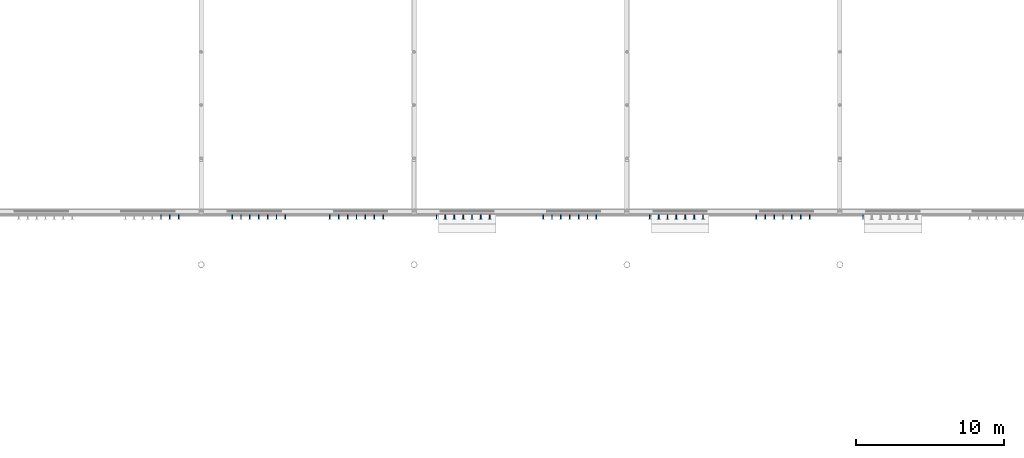
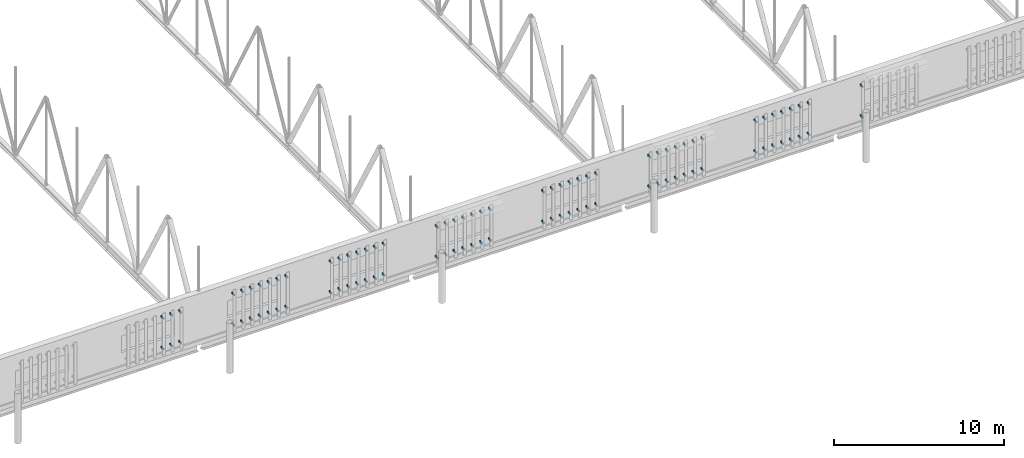
# One storey, part 111 of 142: 92 discrete accessories.
"""IFC4 building model written with IfcOpenShell, lengths in metres."""

import ifcopenshell
import ifcopenshell.guid

model = None  # the IFC model being written
_history = None  # IfcOwnerHistory: only IFC2X3 demands one
_inside = {}  # id of a spatial element -> (the spatial element, [elements in it])
_under = {}  # id of a project, library or spatial element -> (it, [spatial elements below it])
_declared = {}  # id of a project -> (the project, [libraries it declares])
_typed = {}  # id of a type object -> (the type object, [elements of that type])
_made_of = {}  # id of a material, layer set ... -> (it, [elements and type objects made of it])


def new_model(schema):
    """Start an empty IFC model of exactly this schema.

    Asked for "IFC4X3", IfcOpenShell would pick the latest addendum, in which some entities
    have other attributes; the version numbers below select the first issue.
    IFC2X3 requires an IfcOwnerHistory on every rooted entity: one is made here for all.
    """
    global model, _history
    if schema == "IFC4X3":
        model = ifcopenshell.file(schema_version=(4, 3, 0, 0))
    else:
        model = ifcopenshell.file(schema=schema)
    _inside.clear()
    _under.clear()
    _declared.clear()
    _typed.clear()
    _made_of.clear()
    _history = None
    if model.schema == "IFC2X3":
        org = make("IfcOrganization", Name="unknown")
        user = make(
            "IfcPersonAndOrganization",
            ThePerson=make("IfcPerson", FamilyName="unknown"),
            TheOrganization=org,
        )
        app = make(
            "IfcApplication",
            ApplicationDeveloper=org,
            Version="unknown",
            ApplicationFullName="unknown",
            ApplicationIdentifier="unknown",
        )
        _history = make(
            "IfcOwnerHistory",
            OwningUser=user,
            OwningApplication=app,
            ChangeAction="ADDED",
            CreationDate=0,
        )
    return model


def make(cls, **values):
    """One entity of the class cls with the attributes given. An attribute that is None is left unset."""
    return model.create_entity(
        cls, **{name: value for name, value in values.items() if value is not None}
    )


def rooted(cls, **values):
    """An entity with a GlobalId (a new one), such as an element, a storey or a relation."""
    return make(cls, GlobalId=ifcopenshell.guid.new(), OwnerHistory=_history, **values)


def si_unit(unit_type, name, prefix=None):
    """IfcSIUnit, for example si_unit("LENGTHUNIT", "METRE", prefix="MILLI")."""
    return make("IfcSIUnit", UnitType=unit_type, Prefix=prefix, Name=name)


def assignment(units):
    """IfcUnitAssignment: the units of a project."""
    return None if units is None else make("IfcUnitAssignment", Units=units)


def point(xyz):
    """IfcCartesianPoint."""
    return None if xyz is None else make("IfcCartesianPoint", Coordinates=xyz)


def direction(xyz):
    """IfcDirection."""
    return None if xyz is None else make("IfcDirection", DirectionRatios=xyz)


def frame(location, z_axis=None, x_axis=None):
    """IfcAxis2Placement3D, a coordinate frame: its origin and axes. An axis left out is left unset."""
    return make(
        "IfcAxis2Placement3D",
        Location=point(location),
        Axis=direction(z_axis),
        RefDirection=direction(x_axis),
    )


def frame_2d(location, x_axis=None):
    """IfcAxis2Placement2D, a coordinate frame in the plane: its origin and x axis."""
    return make(
        "IfcAxis2Placement2D", Location=point(location), RefDirection=direction(x_axis)
    )


def origin():
    """The frame at (0, 0, 0) with its axes left unset."""
    return frame((0.0, 0.0, 0.0))


def origin_2d():
    """The frame at (0, 0) in the plane with its x axis left unset."""
    return frame_2d((0.0, 0.0))


def place(relative_to, where):
    """IfcLocalPlacement: puts the frame where relative to a parent placement (None: the world)."""
    return make(
        "IfcLocalPlacement", PlacementRelTo=relative_to, RelativePlacement=where
    )


def context(
    kind, dimensions, precision=None, world=None, true_north=None, identifier=None
):
    """IfcGeometricRepresentationContext, for example the 3D "Model" context."""
    return make(
        "IfcGeometricRepresentationContext",
        ContextIdentifier=identifier,
        ContextType=kind,
        CoordinateSpaceDimension=dimensions,
        Precision=precision,
        WorldCoordinateSystem=world,
        TrueNorth=true_north,
    )


def subcontext(parent, identifier, kind, view, scale=None):
    """IfcGeometricRepresentationSubContext, for example "Body" below "Model"."""
    return make(
        "IfcGeometricRepresentationSubContext",
        ContextIdentifier=identifier,
        ContextType=kind,
        ParentContext=parent,
        TargetScale=scale,
        TargetView=view,
    )


def project(units=None, contexts=None):
    """IfcProject with its units and contexts."""
    return rooted(
        "IfcProject",
        Name="project",
        RepresentationContexts=contexts,
        UnitsInContext=assignment(units),
    )


def spatial(cls, under=None, at=None, **own):
    """A site, building, storey or space (cls), placed at a placement, below another one or the project."""
    s = rooted(cls, ObjectPlacement=at, **own)
    if under is not None:
        _under.setdefault(under.id(), (under, []))[1].append(s)
    return s


def profile(cls, at=None, kind="AREA", **sizes):
    """A parametric profile (cls). Its sizes go by their IFC names, for example OverallWidth=200.0."""
    return make(cls, ProfileType=kind, Position=at, **sizes)


def rectangle(**sizes):
    """IfcRectangleProfileDef."""
    return profile("IfcRectangleProfileDef", **sizes)


def extrude(swept, where, along, depth):
    """IfcExtrudedAreaSolid: the profile swept, set in the frame where, extruded along a direction by depth."""
    return make(
        "IfcExtrudedAreaSolid",
        SweptArea=swept,
        Position=where,
        ExtrudedDirection=direction(along),
        Depth=depth,
    )


def shape(context_of_items, identifier, shape_type, items):
    """IfcShapeRepresentation: the items that make up one representation, for example the "Body"."""
    return make(
        "IfcShapeRepresentation",
        ContextOfItems=context_of_items,
        RepresentationIdentifier=identifier,
        RepresentationType=shape_type,
        Items=items,
    )


def material(Name=None, Category=None):
    """IfcMaterial."""
    return make("IfcMaterial", Name=Name, Category=Category)


def layer(
    of_material, thickness, ventilated=None, Name=None, Category=None, Priority=None
):
    """IfcMaterialLayer: one layer of a wall or slab, of a material (None: an air gap)."""
    return make(
        "IfcMaterialLayer",
        Material=of_material,
        LayerThickness=thickness,
        IsVentilated=ventilated,
        Name=Name,
        Category=Category,
        Priority=Priority,
    )


def layer_set(layers, Name=None):
    """IfcMaterialLayerSet."""
    return make("IfcMaterialLayerSet", MaterialLayers=layers, LayerSetName=Name)


def made_of(thing, what):
    """Note that an element or type object is made of a material, layer set ...; save() writes the relation."""
    if what is not None:
        _made_of.setdefault(what.id(), (what, []))[1].append(thing)
    return thing


def type_object(cls, material=None, **own):
    """A type object (cls), such as IfcWallType, which elements share."""
    return made_of(rooted(cls, **own), material)


def element(
    cls,
    number,
    at=None,
    inside=None,
    cuts=None,
    type_object=None,
    material=None,
    context=None,
    identifier="Body",
    shape_type=None,
    held_by="IfcProductDefinitionShape",
    body=None,
    shapes=None,
    **own,
):
    """One element of the class cls, such as IfcWall. Its Tag is "e" and its number.

    at: its placement. inside: the storey or other place that contains it. cuts: it is an
    opening in that element (IfcRelVoidsElement). A single representation is given by context,
    identifier, shape_type and body (its items); several are given by shapes. held_by: the class
    of the entity that holds the representations. save() writes the other relations.
    """
    e = rooted(cls, Tag="e%d" % number, ObjectPlacement=at, **own)
    if body is not None:
        shapes = [shape(context, identifier, shape_type, body)]
    if shapes is not None:
        e.Representation = make(held_by, Representations=shapes)
    if inside is not None:
        _inside.setdefault(inside.id(), (inside, []))[1].append(e)
    if cuts is not None:
        rooted(
            "IfcRelVoidsElement", RelatingBuildingElement=cuts, RelatedOpeningElement=e
        )
    if type_object is not None:
        _typed.setdefault(type_object.id(), (type_object, []))[1].append(e)
    return made_of(e, material)


def aggregate(whole, parts):
    """IfcRelAggregates: a whole, such as a stair, and the parts it consists of."""
    return rooted("IfcRelAggregates", RelatingObject=whole, RelatedObjects=parts)


def save(model, path):
    """Write the relations noted so far, then the file.

    IfcRelAggregates (storeys below a building ...), IfcRelContainedInSpatialStructure (elements
    in a storey), IfcRelDefinesByType, IfcRelAssociatesMaterial and IfcRelDeclares: one each for
    every whole, place, type object, material and project.
    """
    for whole, parts in _under.values():
        aggregate(whole, parts)
    for where, things in _inside.values():
        rooted(
            "IfcRelContainedInSpatialStructure",
            RelatedElements=things,
            RelatingStructure=where,
        )
    for kind, things in _typed.values():
        rooted("IfcRelDefinesByType", RelatedObjects=things, RelatingType=kind)
    for what, things in _made_of.values():
        rooted("IfcRelAssociatesMaterial", RelatedObjects=things, RelatingMaterial=what)
    for by, libraries in _declared.values():
        rooted("IfcRelDeclares", RelatingContext=by, RelatedDefinitions=libraries)
    model.write(path)


model = new_model("IFC4")

# Units and contexts
model_context = context("Model", 3, precision=1e-05, world=origin(), true_north=direction((0.0, 1.0)))
body_context = subcontext(model_context, "Body", "Model", "MODEL_VIEW")
ifc_project = project(units=[si_unit("LENGTHUNIT", "METRE"), si_unit("AREAUNIT", "SQUARE_METRE"), si_unit("VOLUMEUNIT", "CUBIC_METRE"), si_unit("PLANEANGLEUNIT", "RADIAN"), si_unit("MASSUNIT", "GRAM", prefix="KILO")], contexts=[model_context])

# Site, building, storey
site_placement = place(None, origin())
site = spatial("IfcSite", under=ifc_project, at=site_placement, CompositionType="ELEMENT")
building_placement = place(site_placement, origin())
building = spatial("IfcBuilding", under=site, at=building_placement, Name="Kupolbacken Congress Centre", CompositionType="ELEMENT")
storey_placement = place(building_placement, frame((0.0, 0.0, 14.39990234375)))
storey = spatial("IfcBuildingStorey", under=building, at=storey_placement, Name="L04", CompositionType="ELEMENT", Elevation=14.39990234375)

# Discrete accessories
ifc_material = material(Name="Steel S355", Category="steel")
ifc_layer = layer(ifc_material, 0.011962890625)
ifc_layer_set = layer_set([ifc_layer], Name="Steel S355")
discrete_accessory_type = type_object("IfcDiscreteAccessoryType", Name="BK1 bracket 150 x 150 x 12", PredefinedType="BRACKET", material=ifc_layer_set)
for number, where, z_axis, x_axis, name in (
    (1, (134.08251953125, 42.840087890625, 0.650146484375), (0.0, 0.0, 1.0), (1.0, 0.0, 0.0), "E/brise/S/L04/439/B79/BR1"),
    (2, (134.08251953125, 42.840087890625, 2.85009765625), (0.0, 0.0, 1.0), (1.0, 0.0, 0.0), "E/brise/S/L04/439/B79/BR2"),
    (3, (134.68359375, 42.840087890625, 0.650146484375), (0.0, 0.0, 1.0), (1.0, 0.0, 0.0), "E/brise/S/L04/439/B80/BR1"),
    (4, (134.68359375, 42.840087890625, 2.85009765625), (0.0, 0.0, 1.0), (1.0, 0.0, 0.0), "E/brise/S/L04/439/B80/BR2"),
    (5, (135.28466796875, 42.840087890625, 0.650146484375), (0.0, 0.0, 1.0), (1.0, 0.0, 0.0), "E/brise/S/L04/439/B81/BR1"),
    (6, (135.28466796875, 42.840087890625, 2.85009765625), (0.0, 0.0, 1.0), (1.0, 0.0, 0.0), "E/brise/S/L04/439/B81/BR2"),
    (7, (138.89111328125, 42.840087890625, 0.650146484375), (0.0, 0.0, 1.0), (1.0, 0.0, 0.0), "E/brise/S/L04/439/B87/BR1"),
    (8, (138.89111328125, 42.840087890625, 2.85009765625), (0.0, 0.0, 1.0), (1.0, 0.0, 0.0), "E/brise/S/L04/439/B87/BR2"),
    (9, (139.4921875, 42.840087890625, 0.650146484375), (0.0, 0.0, 1.0), (1.0, 0.0, 0.0), "E/brise/S/L04/439/B88/BR1"),
    (10, (139.4921875, 42.840087890625, 2.85009765625), (0.0, 0.0, 1.0), (1.0, 0.0, 0.0), "E/brise/S/L04/439/B88/BR2"),
    (11, (140.09326171875, 42.840087890625, 0.650146484375), (0.0, 0.0, 1.0), (1.0, 0.0, 0.0), "E/brise/S/L04/439/B89/BR1"),
    (12, (140.09326171875, 42.840087890625, 2.85009765625), (0.0, 0.0, 1.0), (1.0, 0.0, 0.0), "E/brise/S/L04/439/B89/BR2"),
    (13, (140.694091796875, 42.840087890625, 0.650146484375), (0.0, 0.0, 1.0), (1.0, 0.0, 0.0), "E/brise/S/L04/439/B90/BR1"),
    (14, (140.694091796875, 42.840087890625, 2.85009765625), (0.0, 0.0, 1.0), (1.0, 0.0, 0.0), "E/brise/S/L04/439/B90/BR2"),
    (15, (141.295166015625, 42.840087890625, 0.650146484375), (0.0, 0.0, 1.0), (1.0, 0.0, 0.0), "E/brise/S/L04/439/B91/BR1"),
    (16, (141.295166015625, 42.840087890625, 2.85009765625), (0.0, 0.0, 1.0), (1.0, 0.0, 0.0), "E/brise/S/L04/439/B91/BR2"),
    (17, (141.896240234375, 42.840087890625, 0.650146484375), (0.0, 0.0, 1.0), (1.0, 0.0, 0.0), "E/brise/S/L04/439/B92/BR1"),
    (18, (141.896240234375, 42.840087890625, 2.85009765625), (0.0, 0.0, 1.0), (1.0, 0.0, 0.0), "E/brise/S/L04/439/B92/BR2"),
    (19, (142.497314453125, 42.840087890625, 0.650146484375), (0.0, 0.0, 1.0), (1.0, 0.0, 0.0), "E/brise/S/L04/439/B93/BR1"),
    (20, (142.497314453125, 42.840087890625, 2.85009765625), (0.0, 0.0, 1.0), (1.0, 0.0, 0.0), "E/brise/S/L04/439/B93/BR2"),
    (21, (145.502685546875, 42.840087890625, 0.650146484375), (0.0, 0.0, 1.0), (1.0, 0.0, 0.0), "E/brise/S/L04/439/B98/BR1"),
    (22, (145.502685546875, 42.840087890625, 2.85009765625), (0.0, 0.0, 1.0), (1.0, 0.0, 0.0), "E/brise/S/L04/439/B98/BR2"),
    (23, (146.103759765625, 42.840087890625, 0.650146484375), (0.0, 0.0, 1.0), (1.0, 0.0, 0.0), "E/brise/S/L04/439/B99/BR1"),
    (24, (146.103759765625, 42.840087890625, 2.85009765625), (0.0, 0.0, 1.0), (1.0, 0.0, 0.0), "E/brise/S/L04/439/B99/BR2"),
    (25, (146.704833984375, 42.840087890625, 0.650146484375), (0.0, 0.0, 1.0), (1.0, 0.0, 0.0), "E/brise/S/L04/439/B100/BR1"),
    (26, (146.704833984375, 42.840087890625, 2.85009765625), (0.0, 0.0, 1.0), (1.0, 0.0, 0.0), "E/brise/S/L04/439/B100/BR2"),
    (27, (147.305908203125, 42.840087890625, 0.650146484375), (0.0, 0.0, 1.0), (1.0, 0.0, 0.0), "E/brise/S/L04/439/B101/BR1"),
    (28, (147.305908203125, 42.840087890625, 2.85009765625), (0.0, 0.0, 1.0), (1.0, 0.0, 0.0), "E/brise/S/L04/439/B101/BR2"),
    (29, (147.90673828125, 42.840087890625, 0.650146484375), (0.0, 0.0, 1.0), (1.0, 0.0, 0.0), "E/brise/S/L04/439/B102/BR1"),
    (30, (147.90673828125, 42.840087890625, 2.85009765625), (0.0, 0.0, 1.0), (1.0, 0.0, 0.0), "E/brise/S/L04/439/B102/BR2"),
    (31, (148.5078125, 42.840087890625, 0.650146484375), (0.0, 0.0, 1.0), (1.0, 0.0, 0.0), "E/brise/S/L04/439/B103/BR1"),
    (32, (148.5078125, 42.840087890625, 2.85009765625), (0.0, 0.0, 1.0), (1.0, 0.0, 0.0), "E/brise/S/L04/439/B103/BR2"),
    (33, (149.10888671875, 42.840087890625, 0.650146484375), (0.0, 0.0, 1.0), (1.0, 0.0, 0.0), "E/brise/S/L04/439/B104/BR1"),
    (34, (149.10888671875, 42.840087890625, 2.85009765625), (0.0, 0.0, 1.0), (1.0, 0.0, 0.0), "E/brise/S/L04/439/B104/BR2"),
    (35, (152.71533203125, 42.840087890625, 0.650146484375), (0.0, 0.0, 1.0), (1.0, 0.0, 0.0), "E/brise/S/L04/439/B110/BR1"),
    (36, (152.71533203125, 42.840087890625, 2.85009765625), (0.0, 0.0, 1.0), (1.0, 0.0, 0.0), "E/brise/S/L04/439/B110/BR2"),
    (37, (153.31640625, 42.840087890625, 0.650146484375), (0.0, 0.0, 1.0), (1.0, 0.0, 0.0), "E/brise/S/L04/439/B111/BR1"),
    (38, (153.31640625, 42.840087890625, 2.85009765625), (0.0, 0.0, 1.0), (1.0, 0.0, 0.0), "E/brise/S/L04/439/B111/BR2"),
    (39, (153.91748046875, 42.840087890625, 0.650146484375), (0.0, 0.0, 1.0), (1.0, 0.0, 0.0), "E/brise/S/L04/439/B112/BR1"),
    (40, (153.91748046875, 42.840087890625, 2.85009765625), (0.0, 0.0, 1.0), (1.0, 0.0, 0.0), "E/brise/S/L04/439/B112/BR2"),
    (41, (154.518310546875, 42.840087890625, 0.650146484375), (0.0, 0.0, 1.0), (1.0, 0.0, 0.0), "E/brise/S/L04/439/B113/BR1"),
    (42, (154.518310546875, 42.840087890625, 2.85009765625), (0.0, 0.0, 1.0), (1.0, 0.0, 0.0), "E/brise/S/L04/439/B113/BR2"),
    (43, (155.119384765625, 42.840087890625, 0.650146484375), (0.0, 0.0, 1.0), (1.0, 0.0, 0.0), "E/brise/S/L04/439/B114/BR1"),
    (44, (155.119384765625, 42.840087890625, 2.85009765625), (0.0, 0.0, 1.0), (1.0, 0.0, 0.0), "E/brise/S/L04/439/B114/BR2"),
    (45, (155.720458984375, 42.840087890625, 0.650146484375), (0.0, 0.0, 1.0), (1.0, 0.0, 0.0), "E/brise/S/L04/439/B115/BR1"),
    (46, (155.720458984375, 42.840087890625, 2.85009765625), (0.0, 0.0, 1.0), (1.0, 0.0, 0.0), "E/brise/S/L04/439/B115/BR2"),
    (47, (156.321533203125, 42.840087890625, 0.650146484375), (0.0, 0.0, 1.0), (1.0, 0.0, 0.0), "E/brise/S/L04/439/B116/BR1"),
    (48, (156.321533203125, 42.840087890625, 2.85009765625), (0.0, 0.0, 1.0), (1.0, 0.0, 0.0), "E/brise/S/L04/439/B116/BR2"),
    (49, (159.927978515625, 42.840087890625, 0.650146484375), (0.0, 0.0, 1.0), (1.0, 0.0, 0.0), "E/brise/S/L04/439/B122/BR1"),
    (50, (159.927978515625, 42.840087890625, 2.85009765625), (0.0, 0.0, 1.0), (1.0, 0.0, 0.0), "E/brise/S/L04/439/B122/BR2"),
    (51, (160.529052734375, 42.840087890625, 0.650146484375), (0.0, 0.0, 1.0), (1.0, 0.0, 0.0), "E/brise/S/L04/439/B123/BR1"),
    (52, (160.529052734375, 42.840087890625, 2.85009765625), (0.0, 0.0, 1.0), (1.0, 0.0, 0.0), "E/brise/S/L04/439/B123/BR2"),
    (53, (161.1298828125, 42.840087890625, 0.650146484375), (0.0, 0.0, 1.0), (1.0, 0.0, 0.0), "E/brise/S/L04/439/B124/BR1"),
    (54, (161.1298828125, 42.840087890625, 2.85009765625), (0.0, 0.0, 1.0), (1.0, 0.0, 0.0), "E/brise/S/L04/439/B124/BR2"),
    (55, (161.73095703125, 42.840087890625, 0.650146484375), (0.0, 0.0, 1.0), (1.0, 0.0, 0.0), "E/brise/S/L04/439/B125/BR1"),
    (56, (161.73095703125, 42.840087890625, 2.85009765625), (0.0, 0.0, 1.0), (1.0, 0.0, 0.0), "E/brise/S/L04/439/B125/BR2"),
    (57, (162.33203125, 42.840087890625, 0.650146484375), (0.0, 0.0, 1.0), (1.0, 0.0, 0.0), "E/brise/S/L04/439/B126/BR1"),
    (58, (162.33203125, 42.840087890625, 2.85009765625), (0.0, 0.0, 1.0), (1.0, 0.0, 0.0), "E/brise/S/L04/439/B126/BR2"),
    (59, (162.93310546875, 42.840087890625, 0.650146484375), (0.0, 0.0, 1.0), (1.0, 0.0, 0.0), "E/brise/S/L04/439/B127/BR1"),
    (60, (162.93310546875, 42.840087890625, 2.85009765625), (0.0, 0.0, 1.0), (1.0, 0.0, 0.0), "E/brise/S/L04/439/B127/BR2"),
    (61, (163.5341796875, 42.840087890625, 0.650146484375), (0.0, 0.0, 1.0), (1.0, 0.0, 0.0), "E/brise/S/L04/439/B128/BR1"),
    (62, (163.5341796875, 42.840087890625, 2.85009765625), (0.0, 0.0, 1.0), (1.0, 0.0, 0.0), "E/brise/S/L04/439/B128/BR2"),
    (63, (167.140625, 42.840087890625, 0.650146484375), (0.0, 0.0, 1.0), (1.0, 0.0, 0.0), "E/brise/S/L04/439/B134/BR1"),
    (64, (167.140625, 42.840087890625, 2.85009765625), (0.0, 0.0, 1.0), (1.0, 0.0, 0.0), "E/brise/S/L04/439/B134/BR2"),
    (65, (167.74169921875, 42.840087890625, 0.650146484375), (0.0, 0.0, 1.0), (1.0, 0.0, 0.0), "E/brise/S/L04/439/B135/BR1"),
    (66, (167.74169921875, 42.840087890625, 2.85009765625), (0.0, 0.0, 1.0), (1.0, 0.0, 0.0), "E/brise/S/L04/439/B135/BR2"),
    (67, (168.342529296875, 42.840087890625, 0.650146484375), (0.0, 0.0, 1.0), (1.0, 0.0, 0.0), "E/brise/S/L04/439/B136/BR1"),
    (68, (168.342529296875, 42.840087890625, 2.85009765625), (0.0, 0.0, 1.0), (1.0, 0.0, 0.0), "E/brise/S/L04/439/B136/BR2"),
    (69, (168.943603515625, 42.840087890625, 0.650146484375), (0.0, 0.0, 1.0), (1.0, 0.0, 0.0), "E/brise/S/L04/439/B137/BR1"),
    (70, (168.943603515625, 42.840087890625, 2.85009765625), (0.0, 0.0, 1.0), (1.0, 0.0, 0.0), "E/brise/S/L04/439/B137/BR2"),
    (71, (169.544677734375, 42.840087890625, 0.650146484375), (0.0, 0.0, 1.0), (1.0, 0.0, 0.0), "E/brise/S/L04/439/B138/BR1"),
    (72, (169.544677734375, 42.840087890625, 2.85009765625), (0.0, 0.0, 1.0), (1.0, 0.0, 0.0), "E/brise/S/L04/439/B138/BR2"),
    (73, (170.145751953125, 42.840087890625, 0.650146484375), (0.0, 0.0, 1.0), (1.0, 0.0, 0.0), "E/brise/S/L04/439/B139/BR1"),
    (74, (170.145751953125, 42.840087890625, 2.85009765625), (0.0, 0.0, 1.0), (1.0, 0.0, 0.0), "E/brise/S/L04/439/B139/BR2"),
    (75, (170.746826171875, 42.840087890625, 0.650146484375), (0.0, 0.0, 1.0), (1.0, 0.0, 0.0), "E/brise/S/L04/439/B140/BR1"),
    (76, (170.746826171875, 42.840087890625, 2.85009765625), (0.0, 0.0, 1.0), (1.0, 0.0, 0.0), "E/brise/S/L04/439/B140/BR2"),
    (77, (174.353271484375, 42.840087890625, 0.650146484375), (0.0, 0.0, 1.0), (1.0, 0.0, 0.0), "E/brise/S/L04/439/B146/BR1"),
    (78, (174.353271484375, 42.840087890625, 2.85009765625), (0.0, 0.0, 1.0), (1.0, 0.0, 0.0), "E/brise/S/L04/439/B146/BR2"),
    (79, (174.9541015625, 42.840087890625, 0.650146484375), (0.0, 0.0, 1.0), (1.0, 0.0, 0.0), "E/brise/S/L04/439/B147/BR1"),
    (80, (174.9541015625, 42.840087890625, 2.85009765625), (0.0, 0.0, 1.0), (1.0, 0.0, 0.0), "E/brise/S/L04/439/B147/BR2"),
    (81, (175.55517578125, 42.840087890625, 0.650146484375), (0.0, 0.0, 1.0), (1.0, 0.0, 0.0), "E/brise/S/L04/439/B148/BR1"),
    (82, (175.55517578125, 42.840087890625, 2.85009765625), (0.0, 0.0, 1.0), (1.0, 0.0, 0.0), "E/brise/S/L04/439/B148/BR2"),
    (83, (176.15625, 42.840087890625, 0.650146484375), (0.0, 0.0, 1.0), (1.0, 0.0, 0.0), "E/brise/S/L04/439/B149/BR1"),
    (84, (176.15625, 42.840087890625, 2.85009765625), (0.0, 0.0, 1.0), (1.0, 0.0, 0.0), "E/brise/S/L04/439/B149/BR2"),
    (85, (176.75732421875, 42.840087890625, 0.650146484375), (0.0, 0.0, 1.0), (1.0, 0.0, 0.0), "E/brise/S/L04/439/B150/BR1"),
    (86, (176.75732421875, 42.840087890625, 2.85009765625), (0.0, 0.0, 1.0), (1.0, 0.0, 0.0), "E/brise/S/L04/439/B150/BR2"),
    (87, (177.3583984375, 42.840087890625, 0.650146484375), (0.0, 0.0, 1.0), (1.0, 0.0, 0.0), "E/brise/S/L04/439/B151/BR1"),
    (88, (177.3583984375, 42.840087890625, 2.85009765625), (0.0, 0.0, 1.0), (1.0, 0.0, 0.0), "E/brise/S/L04/439/B151/BR2"),
    (89, (177.95947265625, 42.840087890625, 0.650146484375), (0.0, 0.0, 1.0), (1.0, 0.0, 0.0), "E/brise/S/L04/439/B152/BR1"),
    (90, (177.95947265625, 42.840087890625, 2.85009765625), (0.0, 0.0, 1.0), (1.0, 0.0, 0.0), "E/brise/S/L04/439/B152/BR2"),
    (91, (181.565673828125, 42.840087890625, 0.650146484375), (0.0, 0.0, 1.0), (1.0, 0.0, 0.0), "E/brise/S/L04/439/B158/BR1"),
    (92, (181.565673828125, 42.840087890625, 2.85009765625), (0.0, 0.0, 1.0), (1.0, 0.0, 0.0), "E/brise/S/L04/439/B158/BR2"),
):
    element("IfcDiscreteAccessory", number, at=place(storey_placement, frame(where, z_axis=z_axis, x_axis=x_axis)), inside=storey, type_object=discrete_accessory_type, Name=name, PredefinedType="BRACKET", context=body_context, shape_type="SweptSolid", body=[
        extrude(rectangle(XDim=0.06005859375, YDim=0.31005859375, at=origin_2d()), origin(), (0.0, 0.0, 1.0), 0.10009765625),
    ])

save(model, "model.ifc")
